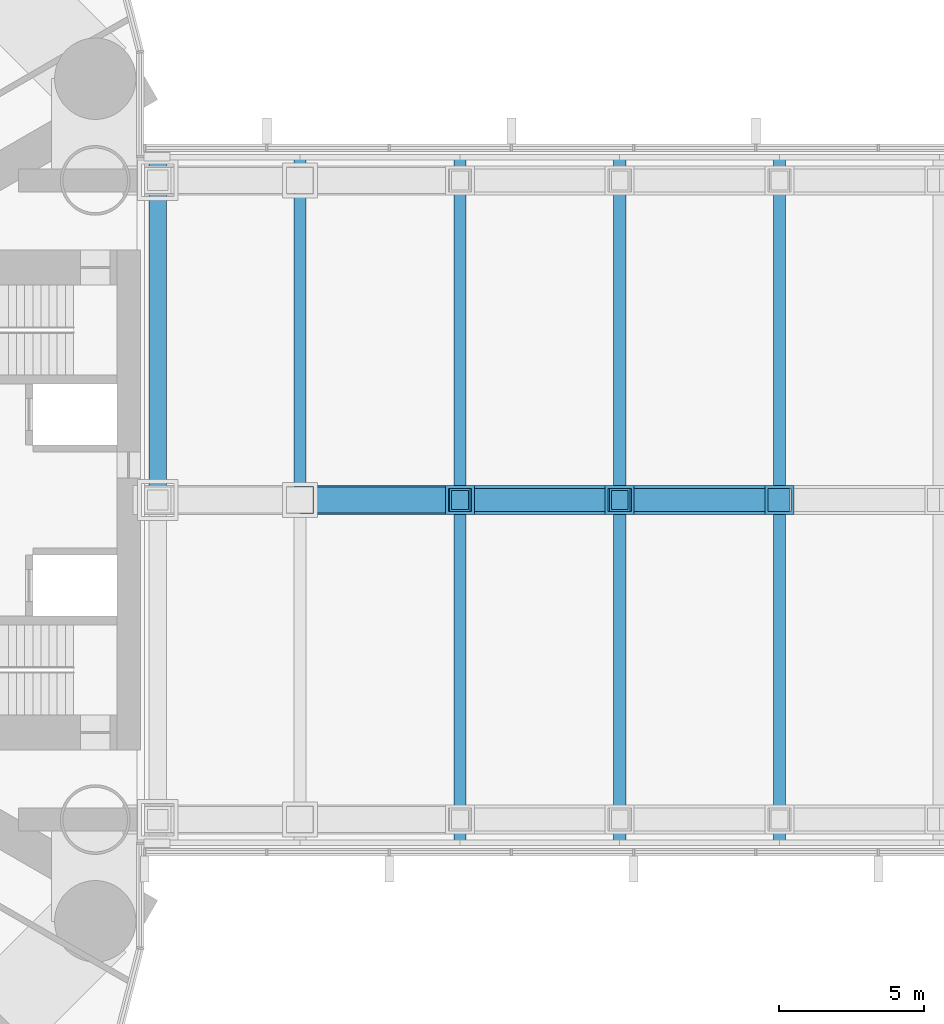
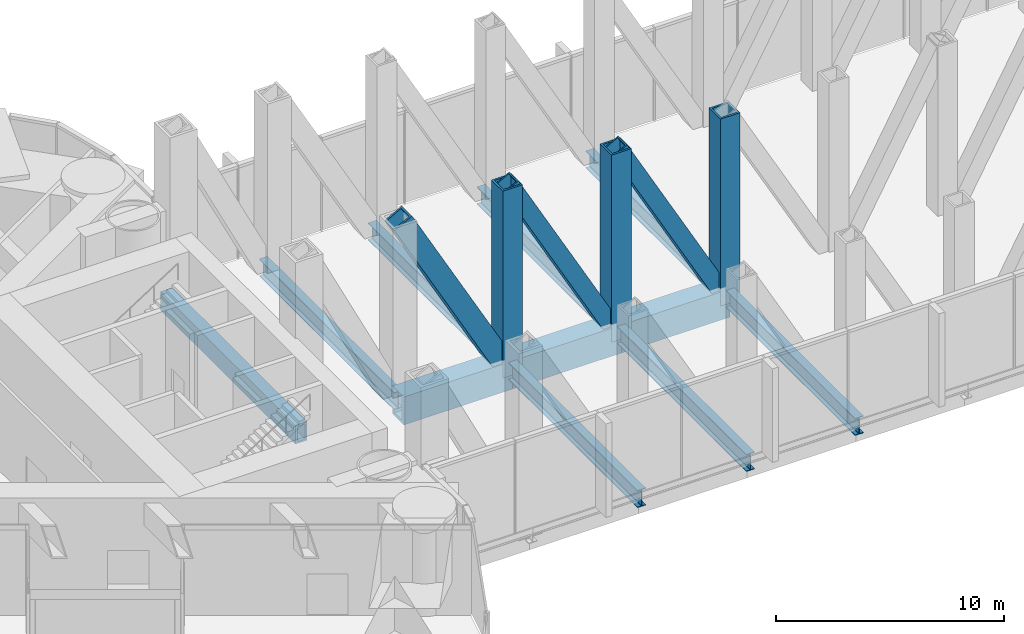
# One storey, part 5 of 21: 9 members, 8 beams.
"""IFC4 building model written with IfcOpenShell, lengths in metres."""

from ifc_helpers import new_model, si_unit, direction, frame, origin, origin_2d, place, context, subcontext, project, spatial, hollow_rectangle, i_section, extrude, material, material_profile, profile_set, type_object, element, save


model = new_model("IFC4")

# Units and contexts
model_context = context("Model", 3, precision=1e-05, world=origin(), true_north=direction((0.0, 1.0)))
body_context = subcontext(model_context, "Body", "Model", "MODEL_VIEW")
ifc_project = project(units=[si_unit("LENGTHUNIT", "METRE"), si_unit("AREAUNIT", "SQUARE_METRE"), si_unit("VOLUMEUNIT", "CUBIC_METRE"), si_unit("PLANEANGLEUNIT", "RADIAN"), si_unit("MASSUNIT", "GRAM", prefix="KILO")], contexts=[model_context])

# Site, building, storey
site_placement = place(None, origin())
site = spatial("IfcSite", under=ifc_project, at=site_placement, CompositionType="ELEMENT")
building_placement = place(site_placement, origin())
building = spatial("IfcBuilding", under=site, at=building_placement, Name="Lancet Gate Hotel", CompositionType="ELEMENT")
storey_placement = place(building_placement, frame((0.0, 0.0, 205.300048828125)))
storey = spatial("IfcBuildingStorey", under=building, at=storey_placement, Name="L55", CompositionType="ELEMENT", Elevation=205.300048828125)

# Beams
ifc_material_1 = material(Name="Steel S460QL", Category="steel")
ifc_material_profile_1 = material_profile(ifc_material_1, hollow_rectangle(XDim=0.60009765625, YDim=1.0, WallThickness=0.10009765625, at=origin_2d()), Name="BOX 1000x600x100")
ifc_profile_set_1 = profile_set([ifc_material_profile_1], Name="Steel S460QL")
beam_type_1 = type_object("IfcBeamType", Name="Block end beam BOX 1000x600x100", PredefinedType="BEAM", material=ifc_profile_set_1)
beam_placement = place(storey_placement, frame((-26.89990234375, 0.0, -0.699951171875), z_axis=(0.0, 1.0, 0.0), x_axis=(-1.0, 0.0, 0.0)))
element("IfcBeam", 1, at=beam_placement, inside=storey, type_object=beam_type_1, Name="Block beam x0 N L55", PredefinedType="BEAM", context=body_context, shape_type="SweptSolid", body=[
    extrude(hollow_rectangle(XDim=0.60009765625, YDim=1.0, WallThickness=0.10009765625, at=origin_2d()), origin(), (0.0, 0.0, 1.0), 11.800048828125),
])
ifc_material_2 = material(Name="Steel S355", Category="steel")
ifc_material_profile_2 = material_profile(ifc_material_2, i_section(OverallWidth=0.42041015625, OverallDepth=0.9208984375, WebThickness=0.021484375, FlangeThickness=0.03662109375, FilletRadius=0.024169921875, at=origin_2d()), Name="UKB 914x419x388")
ifc_profile_set_2 = profile_set([ifc_material_profile_2], Name="Steel S355")
beam_type_2 = type_object("IfcBeamType", Name="Block plant floor beam UKB 914x419x388", PredefinedType="JOIST", material=ifc_profile_set_2)
for number, where, z_axis, x_axis, name in (
    (2, (-22.0, 0.0, -0.66064453125), (0.0, 1.0, 0.0), (-1.0, 0.0, 0.0), "Block beam x1 N L55"),
    (3, (-16.5, -11.800048828125, -0.66064453125), (0.0, 1.0, 0.0), (-1.0, 0.0, 0.0), "Block beam x2 S L55"),
    (4, (-16.5, 0.0, -0.66064453125), (0.0, 1.0, 0.0), (-1.0, 0.0, 0.0), "Block beam x2 N L55"),
    (5, (-11.0, -11.800048828125, -0.66064453125), (0.0, 1.0, 0.0), (-1.0, 0.0, 0.0), "Block beam x3 S L55"),
    (6, (-11.0, 0.0, -0.66064453125), (0.0, 1.0, 0.0), (-1.0, 0.0, 0.0), "Block beam x3 N L55"),
    (7, (-5.5, -11.800048828125, -0.66064453125), (0.0, 1.0, 0.0), (-1.0, 0.0, 0.0), "Block beam x4 S L55"),
    (8, (-5.5, 0.0, -0.66064453125), (0.0, 1.0, 0.0), (-1.0, 0.0, 0.0), "Block beam x4 N L55"),
):
    element("IfcBeam", number, at=place(storey_placement, frame(where, z_axis=z_axis, x_axis=x_axis)), inside=storey, type_object=beam_type_2, Name=name, PredefinedType="JOIST", context=body_context, shape_type="SweptSolid", body=[
        extrude(i_section(OverallWidth=0.42041015625, OverallDepth=0.9208984375, WebThickness=0.021484375, FlangeThickness=0.03662109375, FilletRadius=0.024169921875, at=origin_2d()), origin(), (0.0, 0.0, 1.0), 11.800048828125),
    ])

# Members
ifc_material_3 = material(Name="Steel S460QL", Category="steel")
ifc_material_profile_3 = material_profile(ifc_material_3, hollow_rectangle(XDim=1.0, YDim=1.5, WallThickness=0.14990234375, at=origin_2d()), Name="BOX 1500x1000x150")
ifc_profile_set_3 = profile_set([ifc_material_profile_3], Name="Steel S460QL")
member_type_1 = type_object("IfcMemberType", Name="Truss bottom chord BOX 1500x1000x150", PredefinedType="CHORD", material=ifc_profile_set_3)
for number, where, z_axis, x_axis, name in (
    (9, (-22.0, 0.0, -0.949951171875), (1.0, 0.0, 0.0), (0.0, 1.0, 0.0), "Truss M bottom chord panel 2"),
    (10, (-16.5, 0.0, -0.949951171875), (1.0, 0.0, 0.0), (0.0, 1.0, 0.0), "Truss M bottom chord panel 3"),
    (11, (-11.0, 0.0, -0.949951171875), (1.0, 0.0, 0.0), (0.0, 1.0, 0.0), "Truss M bottom chord panel 4"),
):
    element("IfcMember", number, at=place(storey_placement, frame(where, z_axis=z_axis, x_axis=x_axis)), inside=storey, type_object=member_type_1, Name=name, PredefinedType="CHORD", context=body_context, shape_type="SweptSolid", body=[
        extrude(hollow_rectangle(XDim=1.0, YDim=1.5, WallThickness=0.14990234375, at=origin_2d()), origin(), (0.0, 0.0, 1.0), 5.5),
    ])
ifc_material_4 = material(Name="Steel S460QL", Category="steel")
ifc_material_profile_4 = material_profile(ifc_material_4, hollow_rectangle(XDim=0.89990234375, YDim=1.0, WallThickness=0.10009765625, at=origin_2d()), Name="BOX 1000x900x100")
ifc_profile_set_4 = profile_set([ifc_material_profile_4], Name="Steel S460QL")
member_type_2 = type_object("IfcMemberType", Name="Truss diagonal BOX 1000x900x100", PredefinedType="BRACE", material=ifc_profile_set_4)
member_placement = place(storey_placement, frame((-22.0, 0.0, 9.050048828125), z_axis=(0.481918749772, 0.0, -0.876215908677), x_axis=(0.0, 1.0, 0.0)))
element("IfcMember", 12, at=member_placement, inside=storey, type_object=member_type_2, Name="Truss M diagonal panel 2", PredefinedType="BRACE", context=body_context, shape_type="SweptSolid", body=[
    extrude(hollow_rectangle(XDim=0.89990234375, YDim=1.0, WallThickness=0.10009765625, at=origin_2d()), origin(), (0.0, 0.0, 1.0), 11.41259765625),
])
ifc_material_5 = material(Name="Steel S460QL", Category="steel")
ifc_material_profile_5 = material_profile(ifc_material_5, hollow_rectangle(XDim=0.800048828125, YDim=0.800048828125, WallThickness=0.070068359375, at=origin_2d()), Name="BOX 800x800x70")
ifc_profile_set_5 = profile_set([ifc_material_profile_5], Name="Steel S460QL")
member_type_3 = type_object("IfcMemberType", Name="Truss diagonal BOX 800x800x70", PredefinedType="BRACE", material=ifc_profile_set_5)
for number, where, z_axis, x_axis, name in (
    (13, (-16.5, 0.0, 9.050048828125), (0.481918749772, 0.0, -0.876215908677), (0.0, 1.0, 0.0), "Truss M diagonal panel 3"),
    (14, (-11.0, 0.0, 9.050048828125), (0.481918749772, 0.0, -0.876215908677), (0.0, 1.0, 0.0), "Truss M diagonal panel 4"),
):
    element("IfcMember", number, at=place(storey_placement, frame(where, z_axis=z_axis, x_axis=x_axis)), inside=storey, type_object=member_type_3, Name=name, PredefinedType="BRACE", context=body_context, shape_type="SweptSolid", body=[
        extrude(hollow_rectangle(XDim=0.800048828125, YDim=0.800048828125, WallThickness=0.070068359375, at=origin_2d()), origin(), (0.0, 0.0, 1.0), 11.41259765625),
    ])
ifc_material_6 = material(Name="Steel S460QL", Category="steel")
ifc_material_profile_6 = material_profile(ifc_material_6, hollow_rectangle(XDim=1.0, YDim=1.0, WallThickness=0.10009765625, at=origin_2d()), Name="BOX 1000x1000x100")
ifc_profile_set_6 = profile_set([ifc_material_profile_6], Name="Steel S460QL")
member_type_4 = type_object("IfcMemberType", Name="Truss post BOX 1000x1000x100", PredefinedType="POST", material=ifc_profile_set_6)
for number, where, z_axis, x_axis, name in (
    (15, (-16.5, 0.0, -0.949951171875), (0.0, 0.0, 1.0), (1.0, 0.0, 0.0), "Truss M post 2"),
    (16, (-11.0, 0.0, -0.949951171875), (0.0, 0.0, 1.0), (1.0, 0.0, 0.0), "Truss M post 3"),
    (17, (-5.5, 0.0, -0.949951171875), (0.0, 0.0, 1.0), (1.0, 0.0, 0.0), "Truss M post 4"),
):
    element("IfcMember", number, at=place(storey_placement, frame(where, z_axis=z_axis, x_axis=x_axis)), inside=storey, type_object=member_type_4, Name=name, PredefinedType="POST", context=body_context, shape_type="SweptSolid", body=[
        extrude(hollow_rectangle(XDim=1.0, YDim=1.0, WallThickness=0.10009765625, at=origin_2d()), origin(), (0.0, 0.0, 1.0), 10.0),
    ])

save(model, "model.ifc")
